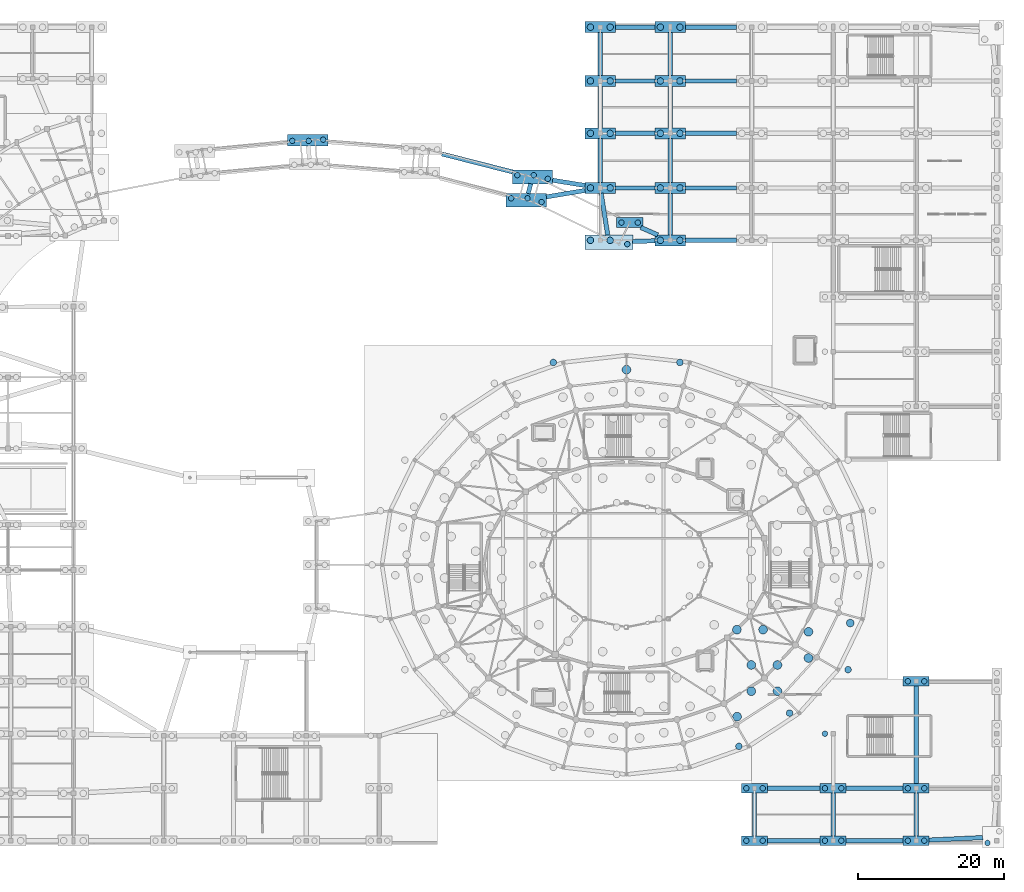
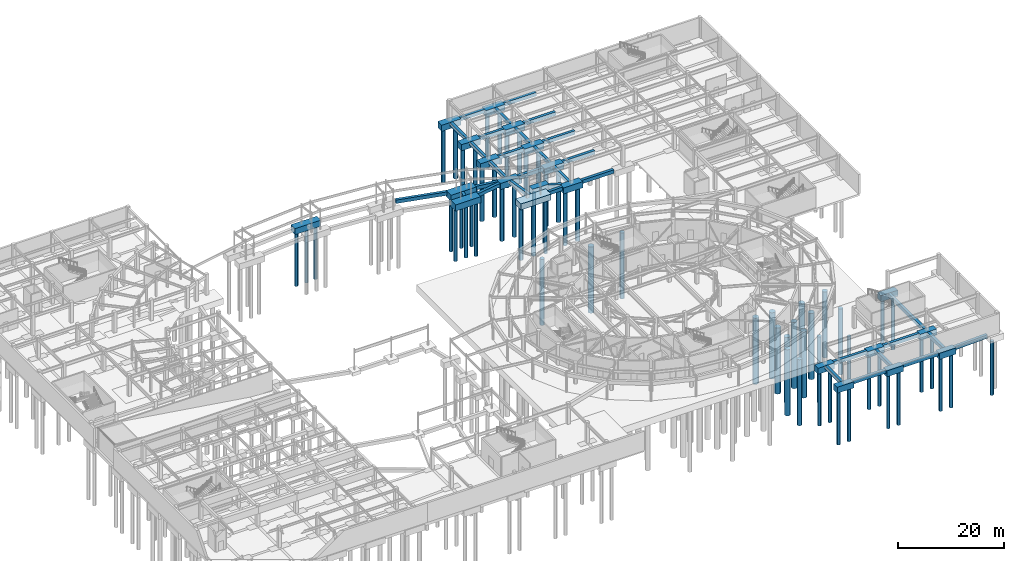
# One storey, part 6 of 68: 64 piles, 53 footings.
"""IFC4 building model written with IfcOpenShell, lengths in metres."""

from ifc_helpers import new_model, si_unit, direction, frame, origin, origin_2d, place, context, subcontext, project, spatial, rectangle, circle, extrude, material, layer, layer_set, material_profile, profile_set, type_object, element, save


model = new_model("IFC4")

# Units and contexts
model_context = context("Model", 3, precision=1e-05, world=origin(), true_north=direction((0.0, 1.0)))
body_context = subcontext(model_context, "Body", "Model", "MODEL_VIEW")
ifc_project = project(units=[si_unit("LENGTHUNIT", "METRE"), si_unit("AREAUNIT", "SQUARE_METRE"), si_unit("VOLUMEUNIT", "CUBIC_METRE"), si_unit("PLANEANGLEUNIT", "RADIAN"), si_unit("MASSUNIT", "GRAM", prefix="KILO")], contexts=[model_context])

# Site, building, storey
site_placement = place(None, origin())
site = spatial("IfcSite", under=ifc_project, at=site_placement, CompositionType="ELEMENT")
building_placement = place(site_placement, origin())
building = spatial("IfcBuilding", under=site, at=building_placement, Name="Cinderbank Siding Concert Hall", CompositionType="ELEMENT")
storey_placement = place(building_placement, frame((0.0, 0.0, -4.800048828125)))
storey = spatial("IfcBuildingStorey", under=building, at=storey_placement, Name="B1", CompositionType="ELEMENT", Elevation=-4.800048828125)

# Piles
ifc_material = material(Name="Reinforced concrete AS 3600 N40 (40 MPa)", Category="concrete")
ifc_material_profile_1 = material_profile(ifc_material, circle(Radius=0.52490234375, at=origin_2d()), Name="PILE-1050DIA", Category="LoadBearing")
ifc_profile_set_1 = profile_set([ifc_material_profile_1], Name="Reinforced concrete AS 3600 N40 (40 MPa)")
pile_type_1 = type_object("IfcPileType", Name="BP-1050 Bored Pile 1050mm", PredefinedType="BORED", material=ifc_profile_set_1)
pile_1_placement = place(storey_placement, frame((152.74609375, 36.009033203125, -1.5), z_axis=(0.0, 0.0, -1.0), x_axis=(1.0, 0.0, 0.0)))
element("IfcPile", 1, at=pile_1_placement, inside=storey, type_object=pile_type_1, Name="Bored Pile BP-1050 #48", PredefinedType="BORED", context=body_context, shape_type="SweptSolid", body=[
    extrude(circle(Radius=0.52490234375, at=origin_2d()), origin(), (0.0, 0.0, 1.0), 15.199951171875),
])
ifc_material_profile_2 = material_profile(ifc_material, circle(Radius=0.60009765625, at=origin_2d()), Name="PILE-1200DIA", Category="LoadBearing")
ifc_profile_set_2 = profile_set([ifc_material_profile_2], Name="Reinforced concrete AS 3600 N40 (40 MPa)")
pile_type_2 = type_object("IfcPileType", Name="BP-1200 Bored Pile 1200mm", PredefinedType="BORED", material=ifc_profile_set_2)
for number, where, z_axis, x_axis, name in (
    (2, (137.174072265625, 35.10009765625, -1.5), (0.0, 0.0, -1.0), (1.0, 0.0, 0.0), "Bored Pile BP-1200 #32"),
    (3, (140.77392578125, 35.10009765625, -1.5), (0.0, 0.0, -1.0), (1.0, 0.0, 0.0), "Bored Pile BP-1200 #33"),
    (4, (139.15087890625, 26.64404296875, -1.5), (0.0, 0.0, -1.0), (1.0, 0.0, 0.0), "Bored Pile BP-1200 #36"),
    (5, (142.7509765625, 26.64404296875, -1.5), (0.0, 0.0, -1.0), (1.0, 0.0, 0.0), "Bored Pile BP-1200 #37"),
    (6, (139.15087890625, 30.243896484375, -1.5), (0.0, 0.0, -1.0), (1.0, 0.0, 0.0), "Bored Pile BP-1200 #38"),
    (7, (142.7509765625, 30.243896484375, -1.5), (0.0, 0.0, -1.0), (1.0, 0.0, 0.0), "Bored Pile BP-1200 #39"),
    (8, (137.199951171875, 23.14697265625, -1.5), (0.0, 0.0, -1.0), (1.0, 0.0, 0.0), "Bored Pile BP-1200 #41"),
    (9, (147.009033203125, 31.199951171875, -1.5), (0.0, 0.0, -1.0), (1.0, 0.0, 0.0), "Bored Pile BP-1200 #45"),
    (10, (147.009033203125, 34.800048828125, -1.5), (0.0, 0.0, -1.0), (1.0, 0.0, 0.0), "Bored Pile BP-1200 #46"),
    (11, (122.0, 70.818115234375, -1.5), (0.0, 0.0, -1.0), (1.0, 0.0, 0.0), "Bored Pile BP-1200 #66"),
):
    element("IfcPile", number, at=place(storey_placement, frame(where, z_axis=z_axis, x_axis=x_axis)), inside=storey, type_object=pile_type_2, Name=name, PredefinedType="BORED", context=body_context, shape_type="SweptSolid", body=[
        extrude(circle(Radius=0.60009765625, at=origin_2d()), origin(), (0.0, 0.0, 1.0), 15.199951171875),
    ])
ifc_material_profile_3 = material_profile(ifc_material, circle(Radius=0.375, at=origin_2d()), Name="PILE-750DIA", Category="LoadBearing")
ifc_profile_set_3 = profile_set([ifc_material_profile_3], Name="Reinforced concrete AS 3600 N40 (40 MPa)")
pile_type_3 = type_object("IfcPileType", Name="BP-750 Bored Pile 750mm", PredefinedType="BORED", material=ifc_profile_set_3)
pile_2_placement = place(storey_placement, frame((149.27490234375, 20.800048828125, -1.5), z_axis=(0.0, 0.0, -1.0), x_axis=(1.0, 0.0, 0.0)))
element("IfcPile", 12, at=pile_2_placement, inside=storey, type_object=pile_type_3, Name="Bored Pile BP-750 #50", PredefinedType="BORED", context=body_context, shape_type="SweptSolid", body=[
    extrude(circle(Radius=0.375, at=origin_2d()), origin(), (0.0, 0.0, 1.0), 15.199951171875),
])
for number, where, z_axis, x_axis, name in (
    (13, (122.114013671875, 88.074951171875, -1.300048828125), (0.0, 0.0, -1.0), (1.0, 0.0, 0.0), "Bored Pile BP-750 #284"),
    (14, (138.47509765625, 6.10009765625, -1.300048828125), (0.0, 0.0, -1.0), (1.0, 0.0, 0.0), "Bored Pile BP-750 #377"),
    (15, (140.72509765625, 6.10009765625, -1.300048828125), (0.0, 0.0, -1.0), (1.0, 0.0, 0.0), "Bored Pile BP-750 #378"),
    (16, (138.47509765625, 13.300048828125, -1.300048828125), (0.0, 0.0, -1.0), (1.0, 0.0, 0.0), "Bored Pile BP-750 #379"),
    (17, (140.72509765625, 13.300048828125, -1.300048828125), (0.0, 0.0, -1.0), (1.0, 0.0, 0.0), "Bored Pile BP-750 #380"),
    (18, (149.27490234375, 6.10009765625, -1.300048828125), (0.0, 0.0, -1.0), (1.0, 0.0, 0.0), "Bored Pile BP-750 #381"),
    (19, (151.52490234375, 6.10009765625, -1.300048828125), (0.0, 0.0, -1.0), (1.0, 0.0, 0.0), "Bored Pile BP-750 #382"),
    (20, (149.27490234375, 13.300048828125, -1.300048828125), (0.0, 0.0, -1.0), (1.0, 0.0, 0.0), "Bored Pile BP-750 #383"),
    (21, (151.52490234375, 13.300048828125, -1.300048828125), (0.0, 0.0, -1.0), (1.0, 0.0, 0.0), "Bored Pile BP-750 #384"),
    (22, (160.675048828125, 6.10009765625, -1.300048828125), (0.0, 0.0, -1.0), (1.0, 0.0, 0.0), "Bored Pile BP-750 #385"),
    (23, (162.925048828125, 6.10009765625, -1.300048828125), (0.0, 0.0, -1.0), (1.0, 0.0, 0.0), "Bored Pile BP-750 #386"),
    (24, (160.675048828125, 13.300048828125, -1.300048828125), (0.0, 0.0, -1.0), (1.0, 0.0, 0.0), "Bored Pile BP-750 #387"),
    (25, (162.925048828125, 13.300048828125, -1.300048828125), (0.0, 0.0, -1.0), (1.0, 0.0, 0.0), "Bored Pile BP-750 #388"),
    (26, (160.675048828125, 28.0, -1.300048828125), (0.0, 0.0, -1.0), (1.0, 0.0, 0.0), "Bored Pile BP-750 #389"),
    (27, (162.925048828125, 28.0, -1.300048828125), (0.0, 0.0, -1.0), (1.0, 0.0, 0.0), "Bored Pile BP-750 #390"),
    (28, (171.614990234375, 5.794921875, -1.300048828125), (0.0, 0.0, -1.0), (1.0, 0.0, 0.0), "Bored Pile BP-750 #391"),
    (29, (76.075927734375, 102.260986328125, -1.300048828125), (0.0, 0.0, -1.0), (1.0, 0.0, 0.0), "Bored Pile BP-750 #491"),
    (30, (78.325927734375, 102.260986328125, -1.300048828125), (0.0, 0.0, -1.0), (1.0, 0.0, 0.0), "Bored Pile BP-750 #492"),
    (31, (80.319091796875, 102.43603515625, -1.300048828125), (0.0, 0.0, -1.0), (1.0, 0.0, 0.0), "Bored Pile BP-750 #493"),
    (32, (107.0029296875, 97.56103515625, -1.300048828125), (0.0, 0.0, -1.0), (1.0, 0.0, 0.0), "Bored Pile BP-750 #503"),
    (33, (109.2529296875, 97.56103515625, -1.300048828125), (0.0, 0.0, -1.0), (1.0, 0.0, 0.0), "Bored Pile BP-750 #504"),
    (34, (111.18505859375, 97.0439453125, -1.300048828125), (0.0, 0.0, -1.0), (1.0, 0.0, 0.0), "Bored Pile BP-750 #505"),
    (35, (106.14892578125, 94.3740234375, -1.300048828125), (0.0, 0.0, -1.0), (1.0, 0.0, 0.0), "Bored Pile BP-750 #506"),
    (36, (108.39892578125, 94.3740234375, -1.300048828125), (0.0, 0.0, -1.0), (1.0, 0.0, 0.0), "Bored Pile BP-750 #507"),
    (37, (110.3310546875, 93.85595703125, -1.300048828125), (0.0, 0.0, -1.0), (1.0, 0.0, 0.0), "Bored Pile BP-750 #508"),
    (38, (121.31103515625, 91.041015625, -1.300048828125), (0.0, 0.0, -1.0), (1.0, 0.0, 0.0), "Bored Pile BP-750 #509"),
    (39, (123.56103515625, 91.041015625, -1.300048828125), (0.0, 0.0, -1.0), (1.0, 0.0, 0.0), "Bored Pile BP-750 #510"),
):
    element("IfcPile", number, at=place(storey_placement, frame(where, z_axis=z_axis, x_axis=x_axis)), inside=storey, type_object=pile_type_3, Name=name, PredefinedType="BORED", context=body_context, shape_type="SweptSolid", body=[
        extrude(circle(Radius=0.375, at=origin_2d()), origin(), (0.0, 0.0, 1.0), 12.39990234375),
    ])
ifc_material_profile_4 = material_profile(ifc_material, circle(Radius=0.449951171875, at=origin_2d()), Name="PILE-900DIA", Category="LoadBearing")
ifc_profile_set_4 = profile_set([ifc_material_profile_4], Name="Reinforced concrete AS 3600 N40 (40 MPa)")
pile_type_4 = type_object("IfcPileType", Name="BP-900 Bored Pile 900mm", PredefinedType="BORED", material=ifc_profile_set_4)
for number, where, z_axis, x_axis, name in (
    (40, (137.449951171875, 19.05810546875, -1.5), (0.0, 0.0, -1.0), (1.0, 0.0, 0.0), "Bored Pile BP-900 #43"),
    (41, (144.408935546875, 23.635009765625, -1.5), (0.0, 0.0, -1.0), (1.0, 0.0, 0.0), "Bored Pile BP-900 #44"),
    (42, (152.448974609375, 29.60009765625, -1.5), (0.0, 0.0, -1.0), (1.0, 0.0, 0.0), "Bored Pile BP-900 #47"),
    (43, (129.345947265625, 71.819091796875, -1.5), (0.0, 0.0, -1.0), (1.0, 0.0, 0.0), "Bored Pile BP-900 #61"),
    (44, (111.9541015625, 71.819091796875, -1.5), (0.0, 0.0, -1.0), (1.0, 0.0, 0.0), "Bored Pile BP-900 #75"),
):
    element("IfcPile", number, at=place(storey_placement, frame(where, z_axis=z_axis, x_axis=x_axis)), inside=storey, type_object=pile_type_4, Name=name, PredefinedType="BORED", context=body_context, shape_type="SweptSolid", body=[
        extrude(circle(Radius=0.449951171875, at=origin_2d()), origin(), (0.0, 0.0, 1.0), 15.199951171875),
    ])
for number, where, z_axis, x_axis, name in (
    (45, (117.050048828125, 88.60009765625, -1.300048828125), (0.0, 0.0, -1.0), (1.0, 0.0, 0.0), "Bored Pile BP-900 #282"),
    (46, (119.75, 88.60009765625, -1.300048828125), (0.0, 0.0, -1.0), (1.0, 0.0, 0.0), "Bored Pile BP-900 #283"),
    (47, (117.050048828125, 95.800048828125, -1.300048828125), (0.0, 0.0, -1.0), (1.0, 0.0, 0.0), "Bored Pile BP-900 #285"),
    (48, (119.75, 95.800048828125, -1.300048828125), (0.0, 0.0, -1.0), (1.0, 0.0, 0.0), "Bored Pile BP-900 #286"),
    (49, (117.050048828125, 103.300048828125, -1.300048828125), (0.0, 0.0, -1.0), (1.0, 0.0, 0.0), "Bored Pile BP-900 #287"),
    (50, (119.75, 103.300048828125, -1.300048828125), (0.0, 0.0, -1.0), (1.0, 0.0, 0.0), "Bored Pile BP-900 #288"),
    (51, (117.050048828125, 110.5, -1.300048828125), (0.0, 0.0, -1.0), (1.0, 0.0, 0.0), "Bored Pile BP-900 #289"),
    (52, (119.75, 110.5, -1.300048828125), (0.0, 0.0, -1.0), (1.0, 0.0, 0.0), "Bored Pile BP-900 #290"),
    (53, (117.050048828125, 117.89990234375, -1.300048828125), (0.0, 0.0, -1.0), (1.0, 0.0, 0.0), "Bored Pile BP-900 #291"),
    (54, (119.75, 117.89990234375, -1.300048828125), (0.0, 0.0, -1.0), (1.0, 0.0, 0.0), "Bored Pile BP-900 #292"),
    (55, (126.64990234375, 88.60009765625, -1.300048828125), (0.0, 0.0, -1.0), (1.0, 0.0, 0.0), "Bored Pile BP-900 #293"),
    (56, (129.35009765625, 88.60009765625, -1.300048828125), (0.0, 0.0, -1.0), (1.0, 0.0, 0.0), "Bored Pile BP-900 #294"),
    (57, (126.64990234375, 95.800048828125, -1.300048828125), (0.0, 0.0, -1.0), (1.0, 0.0, 0.0), "Bored Pile BP-900 #295"),
    (58, (129.35009765625, 95.800048828125, -1.300048828125), (0.0, 0.0, -1.0), (1.0, 0.0, 0.0), "Bored Pile BP-900 #296"),
    (59, (126.64990234375, 103.300048828125, -1.300048828125), (0.0, 0.0, -1.0), (1.0, 0.0, 0.0), "Bored Pile BP-900 #297"),
    (60, (129.35009765625, 103.300048828125, -1.300048828125), (0.0, 0.0, -1.0), (1.0, 0.0, 0.0), "Bored Pile BP-900 #298"),
    (61, (126.64990234375, 110.5, -1.300048828125), (0.0, 0.0, -1.0), (1.0, 0.0, 0.0), "Bored Pile BP-900 #299"),
    (62, (129.35009765625, 110.5, -1.300048828125), (0.0, 0.0, -1.0), (1.0, 0.0, 0.0), "Bored Pile BP-900 #300"),
    (63, (126.64990234375, 117.89990234375, -1.300048828125), (0.0, 0.0, -1.0), (1.0, 0.0, 0.0), "Bored Pile BP-900 #301"),
    (64, (129.35009765625, 117.89990234375, -1.300048828125), (0.0, 0.0, -1.0), (1.0, 0.0, 0.0), "Bored Pile BP-900 #302"),
):
    element("IfcPile", number, at=place(storey_placement, frame(where, z_axis=z_axis, x_axis=x_axis)), inside=storey, type_object=pile_type_4, Name=name, PredefinedType="BORED", context=body_context, shape_type="SweptSolid", body=[
        extrude(circle(Radius=0.449951171875, at=origin_2d()), origin(), (0.0, 0.0, 1.0), 12.39990234375),
    ])

# Footings
ifc_material_profile_5 = material_profile(ifc_material, rectangle(XDim=0.60009765625, YDim=0.800048828125, at=origin_2d()), Name="RC-FB-600x800", Category="LoadBearing")
ifc_profile_set_5 = profile_set([ifc_material_profile_5], Name="Reinforced concrete AS 3600 N40 (40 MPa)")
footing_type_1 = type_object("IfcFootingType", Name="FB-01 Tie Beam 600x800", PredefinedType="FOOTING_BEAM", material=ifc_profile_set_5)
footing_1_placement = place(storey_placement, frame((122.84912109375, 88.439453125, -0.39990234375), z_axis=(0.999515641483, 0.031120450376, 0.0), x_axis=(-0.031120450376, 0.999515641483, 0.0)))
element("IfcFooting", 65, at=footing_1_placement, inside=storey, type_object=footing_type_1, Name="Foundation Tie Beam #78", PredefinedType="FOOTING_BEAM", context=body_context, shape_type="SweptSolid", body=[
    extrude(rectangle(XDim=0.60009765625, YDim=0.800048828125, at=origin_2d()), origin(), (0.0, 0.0, 1.0), 3.0673828125),
])
footing_2_placement = place(storey_placement, frame((119.424072265625, 89.335205078125, -0.39990234375), z_axis=(-0.156476915332, 0.987681616194, 0.0), x_axis=(-0.987681616194, -0.156476915332, 0.0)))
element("IfcFooting", 66, at=footing_2_placement, inside=storey, type_object=footing_type_1, Name="Foundation Tie Beam #79", PredefinedType="FOOTING_BEAM", context=body_context, shape_type="SweptSolid", body=[
    extrude(rectangle(XDim=0.60009765625, YDim=0.800048828125, at=origin_2d()), origin(), (0.0, 0.0, 1.0), 5.801025390625),
])
footing_3_placement = place(storey_placement, frame((120.485107421875, 95.800048828125, -0.39990234375), z_axis=(1.0, 0.0, 0.0), x_axis=(0.0, 1.0, 0.0)))
element("IfcFooting", 67, at=footing_3_placement, inside=storey, type_object=footing_type_1, Name="Foundation Tie Beam #80", PredefinedType="FOOTING_BEAM", context=body_context, shape_type="SweptSolid", body=[
    extrude(rectangle(XDim=0.60009765625, YDim=0.800048828125, at=origin_2d()), origin(), (0.0, 0.0, 1.0), 5.429931640625),
])
footing_4_placement = place(storey_placement, frame((118.39990234375, 96.534912109375, -0.39990234375), z_axis=(0.0, 1.0, 0.0), x_axis=(-1.0, 0.0, 0.0)))
element("IfcFooting", 68, at=footing_4_placement, inside=storey, type_object=footing_type_1, Name="Foundation Tie Beam #81", PredefinedType="FOOTING_BEAM", context=body_context, shape_type="SweptSolid", body=[
    extrude(rectangle(XDim=0.60009765625, YDim=0.800048828125, at=origin_2d()), origin(), (0.0, 0.0, 1.0), 6.030029296875),
])
footing_5_placement = place(storey_placement, frame((120.485107421875, 103.300048828125, -0.39990234375), z_axis=(1.0, 0.0, 0.0), x_axis=(0.0, 1.0, 0.0)))
element("IfcFooting", 69, at=footing_5_placement, inside=storey, type_object=footing_type_1, Name="Foundation Tie Beam #82", PredefinedType="FOOTING_BEAM", context=body_context, shape_type="SweptSolid", body=[
    extrude(rectangle(XDim=0.60009765625, YDim=0.800048828125, at=origin_2d()), origin(), (0.0, 0.0, 1.0), 5.429931640625),
])
footing_6_placement = place(storey_placement, frame((118.39990234375, 104.034912109375, -0.39990234375), z_axis=(0.0, 1.0, 0.0), x_axis=(-1.0, 0.0, 0.0)))
element("IfcFooting", 70, at=footing_6_placement, inside=storey, type_object=footing_type_1, Name="Foundation Tie Beam #83", PredefinedType="FOOTING_BEAM", context=body_context, shape_type="SweptSolid", body=[
    extrude(rectangle(XDim=0.60009765625, YDim=0.800048828125, at=origin_2d()), origin(), (0.0, 0.0, 1.0), 5.72998046875),
])
footing_7_placement = place(storey_placement, frame((120.485107421875, 110.5, -0.39990234375), z_axis=(1.0, 0.0, 0.0), x_axis=(0.0, 1.0, 0.0)))
element("IfcFooting", 71, at=footing_7_placement, inside=storey, type_object=footing_type_1, Name="Foundation Tie Beam #84", PredefinedType="FOOTING_BEAM", context=body_context, shape_type="SweptSolid", body=[
    extrude(rectangle(XDim=0.60009765625, YDim=0.800048828125, at=origin_2d()), origin(), (0.0, 0.0, 1.0), 5.429931640625),
])
footing_8_placement = place(storey_placement, frame((118.39990234375, 111.235107421875, -0.39990234375), z_axis=(0.0, 1.0, 0.0), x_axis=(-1.0, 0.0, 0.0)))
element("IfcFooting", 72, at=footing_8_placement, inside=storey, type_object=footing_type_1, Name="Foundation Tie Beam #85", PredefinedType="FOOTING_BEAM", context=body_context, shape_type="SweptSolid", body=[
    extrude(rectangle(XDim=0.60009765625, YDim=0.800048828125, at=origin_2d()), origin(), (0.0, 0.0, 1.0), 5.929931640625),
])
footing_9_placement = place(storey_placement, frame((120.485107421875, 117.89990234375, -0.39990234375), z_axis=(1.0, 0.0, 0.0), x_axis=(0.0, 1.0, 0.0)))
element("IfcFooting", 73, at=footing_9_placement, inside=storey, type_object=footing_type_1, Name="Foundation Tie Beam #86", PredefinedType="FOOTING_BEAM", context=body_context, shape_type="SweptSolid", body=[
    extrude(rectangle(XDim=0.60009765625, YDim=0.800048828125, at=origin_2d()), origin(), (0.0, 0.0, 1.0), 5.429931640625),
])
footing_10_placement = place(storey_placement, frame((130.0849609375, 88.60009765625, -0.39990234375), z_axis=(1.0, 0.0, 0.0), x_axis=(0.0, 1.0, 0.0)))
element("IfcFooting", 74, at=footing_10_placement, inside=storey, type_object=footing_type_1, Name="Foundation Tie Beam #87", PredefinedType="FOOTING_BEAM", context=body_context, shape_type="SweptSolid", body=[
    extrude(rectangle(XDim=0.60009765625, YDim=0.800048828125, at=origin_2d()), origin(), (0.0, 0.0, 1.0), 7.030029296875),
])
footing_11_placement = place(storey_placement, frame((128.0, 89.3349609375, -0.39990234375), z_axis=(0.0, 1.0, 0.0), x_axis=(-1.0, 0.0, 0.0)))
element("IfcFooting", 75, at=footing_11_placement, inside=storey, type_object=footing_type_1, Name="Foundation Tie Beam #88", PredefinedType="FOOTING_BEAM", context=body_context, shape_type="SweptSolid", body=[
    extrude(rectangle(XDim=0.60009765625, YDim=0.800048828125, at=origin_2d()), origin(), (0.0, 0.0, 1.0), 5.72998046875),
])
footing_12_placement = place(storey_placement, frame((130.0849609375, 95.800048828125, -0.39990234375), z_axis=(1.0, 0.0, 0.0), x_axis=(0.0, 1.0, 0.0)))
element("IfcFooting", 76, at=footing_12_placement, inside=storey, type_object=footing_type_1, Name="Foundation Tie Beam #89", PredefinedType="FOOTING_BEAM", context=body_context, shape_type="SweptSolid", body=[
    extrude(rectangle(XDim=0.60009765625, YDim=0.800048828125, at=origin_2d()), origin(), (0.0, 0.0, 1.0), 7.030029296875),
])
footing_13_placement = place(storey_placement, frame((128.0, 96.534912109375, -0.39990234375), z_axis=(0.0, 1.0, 0.0), x_axis=(-1.0, 0.0, 0.0)))
element("IfcFooting", 77, at=footing_13_placement, inside=storey, type_object=footing_type_1, Name="Foundation Tie Beam #90", PredefinedType="FOOTING_BEAM", context=body_context, shape_type="SweptSolid", body=[
    extrude(rectangle(XDim=0.60009765625, YDim=0.800048828125, at=origin_2d()), origin(), (0.0, 0.0, 1.0), 6.030029296875),
])
footing_14_placement = place(storey_placement, frame((130.0849609375, 103.300048828125, -0.39990234375), z_axis=(1.0, 0.0, 0.0), x_axis=(0.0, 1.0, 0.0)))
element("IfcFooting", 78, at=footing_14_placement, inside=storey, type_object=footing_type_1, Name="Foundation Tie Beam #91", PredefinedType="FOOTING_BEAM", context=body_context, shape_type="SweptSolid", body=[
    extrude(rectangle(XDim=0.60009765625, YDim=0.800048828125, at=origin_2d()), origin(), (0.0, 0.0, 1.0), 7.030029296875),
])
footing_15_placement = place(storey_placement, frame((128.0, 104.034912109375, -0.39990234375), z_axis=(0.0, 1.0, 0.0), x_axis=(-1.0, 0.0, 0.0)))
element("IfcFooting", 79, at=footing_15_placement, inside=storey, type_object=footing_type_1, Name="Foundation Tie Beam #92", PredefinedType="FOOTING_BEAM", context=body_context, shape_type="SweptSolid", body=[
    extrude(rectangle(XDim=0.60009765625, YDim=0.800048828125, at=origin_2d()), origin(), (0.0, 0.0, 1.0), 5.72998046875),
])
footing_16_placement = place(storey_placement, frame((130.0849609375, 110.5, -0.39990234375), z_axis=(1.0, 0.0, 0.0), x_axis=(0.0, 1.0, 0.0)))
element("IfcFooting", 80, at=footing_16_placement, inside=storey, type_object=footing_type_1, Name="Foundation Tie Beam #93", PredefinedType="FOOTING_BEAM", context=body_context, shape_type="SweptSolid", body=[
    extrude(rectangle(XDim=0.60009765625, YDim=0.800048828125, at=origin_2d()), origin(), (0.0, 0.0, 1.0), 7.030029296875),
])
footing_17_placement = place(storey_placement, frame((128.0, 111.235107421875, -0.39990234375), z_axis=(0.0, 1.0, 0.0), x_axis=(-1.0, 0.0, 0.0)))
element("IfcFooting", 81, at=footing_17_placement, inside=storey, type_object=footing_type_1, Name="Foundation Tie Beam #94", PredefinedType="FOOTING_BEAM", context=body_context, shape_type="SweptSolid", body=[
    extrude(rectangle(XDim=0.60009765625, YDim=0.800048828125, at=origin_2d()), origin(), (0.0, 0.0, 1.0), 5.929931640625),
])
footing_18_placement = place(storey_placement, frame((130.0849609375, 117.89990234375, -0.39990234375), z_axis=(1.0, 0.0, 0.0), x_axis=(0.0, 1.0, 0.0)))
element("IfcFooting", 82, at=footing_18_placement, inside=storey, type_object=footing_type_1, Name="Foundation Tie Beam #95", PredefinedType="FOOTING_BEAM", context=body_context, shape_type="SweptSolid", body=[
    extrude(rectangle(XDim=0.60009765625, YDim=0.800048828125, at=origin_2d()), origin(), (0.0, 0.0, 1.0), 7.030029296875),
])
footing_19_placement = place(storey_placement, frame((141.385009765625, 6.10009765625, -0.39990234375), z_axis=(1.0, 0.0, 0.0), x_axis=(0.0, 1.0, 0.0)))
element("IfcFooting", 83, at=footing_19_placement, inside=storey, type_object=footing_type_1, Name="Foundation Tie Beam #152", PredefinedType="FOOTING_BEAM", context=body_context, shape_type="SweptSolid", body=[
    extrude(rectangle(XDim=0.60009765625, YDim=0.800048828125, at=origin_2d()), origin(), (0.0, 0.0, 1.0), 7.22998046875),
])
footing_20_placement = place(storey_placement, frame((139.60009765625, 6.760009765625, -0.39990234375), z_axis=(0.0, 1.0, 0.0), x_axis=(-1.0, 0.0, 0.0)))
element("IfcFooting", 84, at=footing_20_placement, inside=storey, type_object=footing_type_1, Name="Foundation Tie Beam #153", PredefinedType="FOOTING_BEAM", context=body_context, shape_type="SweptSolid", body=[
    extrude(rectangle(XDim=0.60009765625, YDim=0.800048828125, at=origin_2d()), origin(), (0.0, 0.0, 1.0), 5.8798828125),
])
footing_21_placement = place(storey_placement, frame((141.385009765625, 13.300048828125, -0.39990234375), z_axis=(1.0, 0.0, 0.0), x_axis=(0.0, 1.0, 0.0)))
element("IfcFooting", 85, at=footing_21_placement, inside=storey, type_object=footing_type_1, Name="Foundation Tie Beam #154", PredefinedType="FOOTING_BEAM", context=body_context, shape_type="SweptSolid", body=[
    extrude(rectangle(XDim=0.60009765625, YDim=0.800048828125, at=origin_2d()), origin(), (0.0, 0.0, 1.0), 7.22998046875),
])
footing_22_placement = place(storey_placement, frame((152.18505859375, 6.10009765625, -0.39990234375), z_axis=(1.0, 0.0, 0.0), x_axis=(0.0, 1.0, 0.0)))
element("IfcFooting", 86, at=footing_22_placement, inside=storey, type_object=footing_type_1, Name="Foundation Tie Beam #155", PredefinedType="FOOTING_BEAM", context=body_context, shape_type="SweptSolid", body=[
    extrude(rectangle(XDim=0.60009765625, YDim=0.800048828125, at=origin_2d()), origin(), (0.0, 0.0, 1.0), 7.829833984375),
])
footing_23_placement = place(storey_placement, frame((150.39990234375, 6.760009765625, -0.39990234375), z_axis=(0.0, 1.0, 0.0), x_axis=(-1.0, 0.0, 0.0)))
element("IfcFooting", 87, at=footing_23_placement, inside=storey, type_object=footing_type_1, Name="Foundation Tie Beam #156", PredefinedType="FOOTING_BEAM", context=body_context, shape_type="SweptSolid", body=[
    extrude(rectangle(XDim=0.60009765625, YDim=0.800048828125, at=origin_2d()), origin(), (0.0, 0.0, 1.0), 5.8798828125),
])
footing_24_placement = place(storey_placement, frame((152.18505859375, 13.300048828125, -0.39990234375), z_axis=(1.0, 0.0, 0.0), x_axis=(0.0, 1.0, 0.0)))
element("IfcFooting", 88, at=footing_24_placement, inside=storey, type_object=footing_type_1, Name="Foundation Tie Beam #157", PredefinedType="FOOTING_BEAM", context=body_context, shape_type="SweptSolid", body=[
    extrude(rectangle(XDim=0.60009765625, YDim=0.800048828125, at=origin_2d()), origin(), (0.0, 0.0, 1.0), 7.829833984375),
])
footing_25_placement = place(storey_placement, frame((163.5849609375, 6.182373046875, -0.39990234375), z_axis=(0.998935531048, 0.046128134699, 0.0), x_axis=(-0.046128134699, 0.998935531048, 0.0)))
element("IfcFooting", 89, at=footing_25_placement, inside=storey, type_object=footing_type_1, Name="Foundation Tie Beam #158", PredefinedType="FOOTING_BEAM", context=body_context, shape_type="SweptSolid", body=[
    extrude(rectangle(XDim=0.60009765625, YDim=0.800048828125, at=origin_2d()), origin(), (0.0, 0.0, 1.0), 7.3779296875),
])
footing_26_placement = place(storey_placement, frame((161.800048828125, 6.760009765625, -0.39990234375), z_axis=(0.0, 1.0, 0.0), x_axis=(-1.0, 0.0, 0.0)))
element("IfcFooting", 90, at=footing_26_placement, inside=storey, type_object=footing_type_1, Name="Foundation Tie Beam #159", PredefinedType="FOOTING_BEAM", context=body_context, shape_type="SweptSolid", body=[
    extrude(rectangle(XDim=0.60009765625, YDim=0.800048828125, at=origin_2d()), origin(), (0.0, 0.0, 1.0), 5.8798828125),
])
footing_27_placement = place(storey_placement, frame((161.800048828125, 13.9599609375, -0.39990234375), z_axis=(0.0, 1.0, 0.0), x_axis=(-1.0, 0.0, 0.0)))
element("IfcFooting", 91, at=footing_27_placement, inside=storey, type_object=footing_type_1, Name="Foundation Tie Beam #161", PredefinedType="FOOTING_BEAM", context=body_context, shape_type="SweptSolid", body=[
    extrude(rectangle(XDim=0.60009765625, YDim=0.800048828125, at=origin_2d()), origin(), (0.0, 0.0, 1.0), 13.380126953125),
])
footing_28_placement = place(storey_placement, frame((96.6484375, 100.46923828125, -0.39990234375), z_axis=(0.969121886559, -0.246582174929, 0.0), x_axis=(0.246582174929, 0.969121886559, 0.0)))
element("IfcFooting", 92, at=footing_28_placement, inside=storey, type_object=footing_type_1, Name="Foundation Tie Beam #237", PredefinedType="FOOTING_BEAM", context=body_context, shape_type="SweptSolid", body=[
    extrude(rectangle(XDim=0.60009765625, YDim=0.800048828125, at=origin_2d()), origin(), (0.0, 0.0, 1.0), 10.0029296875),
])
footing_29_placement = place(storey_placement, frame((111.84521484375, 96.8583984375, -0.39990234375), z_axis=(0.987213486836, -0.159403674392, 0.0), x_axis=(0.159403674392, 0.987213486836, 0.0)))
element("IfcFooting", 93, at=footing_29_placement, inside=storey, type_object=footing_type_1, Name="Foundation Tie Beam #240", PredefinedType="FOOTING_BEAM", context=body_context, shape_type="SweptSolid", body=[
    extrude(rectangle(XDim=0.60009765625, YDim=0.800048828125, at=origin_2d()), origin(), (0.0, 0.0, 1.0), 4.52734375),
])
footing_30_placement = place(storey_placement, frame((110.9912109375, 94.5712890625, -0.39990234375), z_axis=(0.986526883533, 0.163599230032, 0.0), x_axis=(-0.163599230032, 0.986526883533, 0.0)))
element("IfcFooting", 94, at=footing_30_placement, inside=storey, type_object=footing_type_1, Name="Foundation Tie Beam #241", PredefinedType="FOOTING_BEAM", context=body_context, shape_type="SweptSolid", body=[
    extrude(rectangle(XDim=0.60009765625, YDim=0.800048828125, at=origin_2d()), origin(), (0.0, 0.0, 1.0), 5.396240234375),
])
footing_31_placement = place(storey_placement, frame((108.486328125, 95.034423828125, -0.39990234375), z_axis=(0.258870051669, 0.965912157677, 0.0), x_axis=(-0.965912157677, 0.258870051669, 0.0)))
element("IfcFooting", 95, at=footing_31_placement, inside=storey, type_object=footing_type_1, Name="Foundation Tie Beam #242", PredefinedType="FOOTING_BEAM", context=body_context, shape_type="SweptSolid", body=[
    extrude(rectangle(XDim=0.60009765625, YDim=0.800048828125, at=origin_2d()), origin(), (0.0, 0.0, 1.0), 1.396728515625),
])
footing_32_placement = place(storey_placement, frame((123.9609375, 90.3720703125, -0.39990234375), z_axis=(0.915740793181, -0.401769585339, 0.0), x_axis=(0.401769585339, 0.915740793181, 0.0)))
element("IfcFooting", 96, at=footing_32_placement, inside=storey, type_object=footing_type_1, Name="Foundation Tie Beam #243", PredefinedType="FOOTING_BEAM", context=body_context, shape_type="SweptSolid", body=[
    extrude(rectangle(XDim=0.60009765625, YDim=0.800048828125, at=origin_2d()), origin(), (0.0, 0.0, 1.0), 2.558837890625),
])
ifc_layer_1 = layer(ifc_material, 1.39990234375)
ifc_layer_set_1 = layer_set([ifc_layer_1], Name="Reinforced concrete AS 3600 N40 (40 MPa)")
footing_type_2 = type_object("IfcFootingType", Name="PC-05 Pile Cap 4200x1500x1400", PredefinedType="PILE_CAP", material=ifc_layer_set_1)
for number, where, z_axis, x_axis, name in (
    (97, (118.39990234375, 95.800048828125, -1.39990234375), (0.0, 0.0, 1.0), (1.0, 0.0, 0.0), "Pile Cap PC-05 #48"),
    (98, (118.39990234375, 103.300048828125, -1.39990234375), (0.0, 0.0, 1.0), (1.0, 0.0, 0.0), "Pile Cap PC-05 #49"),
    (99, (118.39990234375, 110.5, -1.39990234375), (0.0, 0.0, 1.0), (1.0, 0.0, 0.0), "Pile Cap PC-05 #50"),
    (100, (118.39990234375, 117.89990234375, -1.39990234375), (0.0, 0.0, 1.0), (1.0, 0.0, 0.0), "Pile Cap PC-05 #51"),
    (101, (128.0, 88.60009765625, -1.39990234375), (0.0, 0.0, 1.0), (1.0, 0.0, 0.0), "Pile Cap PC-05 #52"),
    (102, (128.0, 95.800048828125, -1.39990234375), (0.0, 0.0, 1.0), (1.0, 0.0, 0.0), "Pile Cap PC-05 #53"),
    (103, (128.0, 103.300048828125, -1.39990234375), (0.0, 0.0, 1.0), (1.0, 0.0, 0.0), "Pile Cap PC-05 #54"),
    (104, (128.0, 110.5, -1.39990234375), (0.0, 0.0, 1.0), (1.0, 0.0, 0.0), "Pile Cap PC-05 #55"),
    (105, (128.0, 117.89990234375, -1.39990234375), (0.0, 0.0, 1.0), (1.0, 0.0, 0.0), "Pile Cap PC-05 #56"),
):
    element("IfcFooting", number, at=place(storey_placement, frame(where, z_axis=z_axis, x_axis=x_axis)), inside=storey, type_object=footing_type_2, Name=name, PredefinedType="PILE_CAP", context=body_context, shape_type="SweptSolid", body=[
        extrude(rectangle(XDim=4.199951171875, YDim=1.5, at=origin_2d()), origin(), (0.0, 0.0, 1.0), 1.39990234375),
    ])
ifc_layer_2 = layer(ifc_material, 1.39990234375)
ifc_layer_set_2 = layer_set([ifc_layer_2], Name="Reinforced concrete AS 3600 N40 (40 MPa)")
footing_type_3 = type_object("IfcFootingType", Name="PC-12 Pile Cap 6564x2025x1400", PredefinedType="PILE_CAP", material=ifc_layer_set_2)
footing_33_placement = place(storey_placement, frame((119.58203125, 88.33740234375, -1.39990234375), z_axis=(0.0, 0.0, 1.0), x_axis=(1.0, 0.0, 0.0)))
element("IfcFooting", 106, at=footing_33_placement, inside=storey, type_object=footing_type_3, Name="Pile Cap PC-12 #47", PredefinedType="PILE_CAP", context=body_context, shape_type="SweptSolid", body=[
    extrude(rectangle(XDim=6.56396484375, YDim=2.02490234375, at=origin_2d()), origin(), (0.0, 0.0, 1.0), 1.39990234375),
])
ifc_layer_3 = layer(ifc_material, 1.39990234375)
ifc_layer_set_3 = layer_set([ifc_layer_3], Name="Reinforced concrete AS 3600 N40 (40 MPa)")
footing_type_4 = type_object("IfcFootingType", Name="PC-13 Pile Cap 3600x1350x1400", PredefinedType="PILE_CAP", material=ifc_layer_set_3)
for number, where, z_axis, x_axis, name in (
    (107, (139.60009765625, 6.10009765625, -1.39990234375), (0.0, 0.0, 1.0), (1.0, 0.0, 0.0), "Pile Cap PC-13 #94"),
    (108, (139.60009765625, 13.300048828125, -1.39990234375), (0.0, 0.0, 1.0), (1.0, 0.0, 0.0), "Pile Cap PC-13 #95"),
    (109, (150.39990234375, 6.10009765625, -1.39990234375), (0.0, 0.0, 1.0), (1.0, 0.0, 0.0), "Pile Cap PC-13 #96"),
    (110, (150.39990234375, 13.300048828125, -1.39990234375), (0.0, 0.0, 1.0), (1.0, 0.0, 0.0), "Pile Cap PC-13 #97"),
    (111, (161.800048828125, 6.10009765625, -1.39990234375), (0.0, 0.0, 1.0), (1.0, 0.0, 0.0), "Pile Cap PC-13 #98"),
    (112, (161.800048828125, 13.300048828125, -1.39990234375), (0.0, 0.0, 1.0), (1.0, 0.0, 0.0), "Pile Cap PC-13 #99"),
    (113, (161.800048828125, 28.0, -1.39990234375), (0.0, 0.0, 1.0), (1.0, 0.0, 0.0), "Pile Cap PC-13 #100"),
    (114, (122.43603515625, 91.041015625, -1.39990234375), (0.0, 0.0, 1.0), (1.0, 0.0, 0.0), "Pile Cap PC-13 #156"),
):
    element("IfcFooting", number, at=place(storey_placement, frame(where, z_axis=z_axis, x_axis=x_axis)), inside=storey, type_object=footing_type_4, Name=name, PredefinedType="PILE_CAP", context=body_context, shape_type="SweptSolid", body=[
        extrude(rectangle(XDim=3.60009765625, YDim=1.35009765625, at=origin_2d()), origin(), (0.0, 0.0, 1.0), 1.39990234375),
    ])
ifc_layer_4 = layer(ifc_material, 1.39990234375)
ifc_layer_set_4 = layer_set([ifc_layer_4], Name="Reinforced concrete AS 3600 N40 (40 MPa)")
footing_type_5 = type_object("IfcFootingType", Name="PC-17 Pile Cap 5593x1525x1400", PredefinedType="PILE_CAP", material=ifc_layer_set_4)
footing_34_placement = place(storey_placement, frame((78.197509765625, 102.348388671875, -1.39990234375), z_axis=(0.0, 0.0, 1.0), x_axis=(1.0, 0.0, 0.0)))
element("IfcFooting", 115, at=footing_34_placement, inside=storey, type_object=footing_type_5, Name="Pile Cap PC-17 #150", PredefinedType="PILE_CAP", context=body_context, shape_type="SweptSolid", body=[
    extrude(rectangle(XDim=5.593017578125, YDim=1.52490234375, at=origin_2d()), origin(), (0.0, 0.0, 1.0), 1.39990234375),
])
ifc_layer_5 = layer(ifc_material, 1.39990234375)
ifc_layer_set_5 = layer_set([ifc_layer_5], Name="Reinforced concrete AS 3600 N40 (40 MPa)")
footing_type_6 = type_object("IfcFootingType", Name="PC-18 Pile Cap 5532x1867x1400", PredefinedType="PILE_CAP", material=ifc_layer_set_5)
footing_35_placement = place(storey_placement, frame((109.093994140625, 97.302490234375, -1.39990234375), z_axis=(0.0, 0.0, 1.0), x_axis=(1.0, 0.0, 0.0)))
element("IfcFooting", 116, at=footing_35_placement, inside=storey, type_object=footing_type_6, Name="Pile Cap PC-18 #154", PredefinedType="PILE_CAP", context=body_context, shape_type="SweptSolid", body=[
    extrude(rectangle(XDim=5.531982421875, YDim=1.866943359375, at=origin_2d()), origin(), (0.0, 0.0, 1.0), 1.39990234375),
])
footing_36_placement = place(storey_placement, frame((108.239990234375, 94.114990234375, -1.39990234375), z_axis=(0.0, 0.0, 1.0), x_axis=(1.0, 0.0, 0.0)))
element("IfcFooting", 117, at=footing_36_placement, inside=storey, type_object=footing_type_6, Name="Pile Cap PC-18 #155", PredefinedType="PILE_CAP", context=body_context, shape_type="SweptSolid", body=[
    extrude(rectangle(XDim=5.531982421875, YDim=1.867919921875, at=origin_2d()), origin(), (0.0, 0.0, 1.0), 1.39990234375),
])

save(model, "model.ifc")
